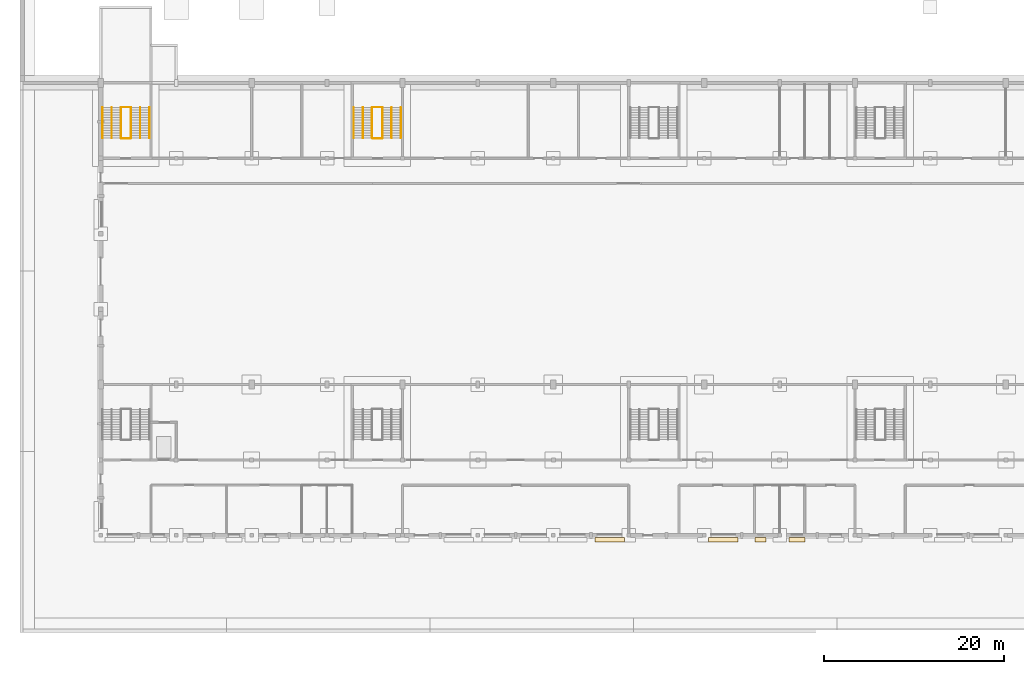
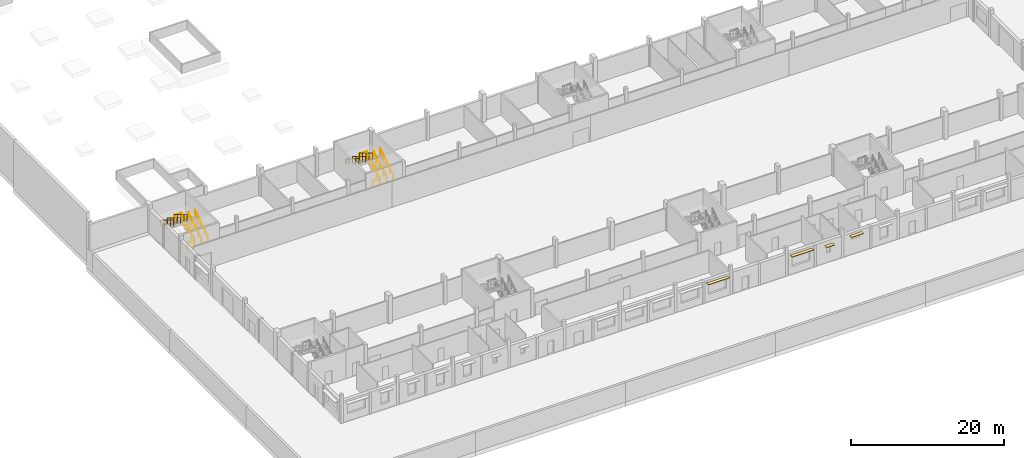
# One storey, part 32 of 36: 16 railings, 4 coverings.
"""IFC4 building model written with IfcOpenShell, lengths in metres."""

from ifc_helpers import new_model, si_unit, direction, frame, origin, origin_2d, place, context, subcontext, project, spatial, rectangle, circle, extrude, material, layer, layer_set, type_object, element, save


model = new_model("IFC4")

# Units and contexts
model_context = context("Model", 3, precision=1e-05, world=origin(), true_north=direction((0.0, 1.0)))
body_context = subcontext(model_context, "Body", "Model", "MODEL_VIEW")
ifc_project = project(units=[si_unit("LENGTHUNIT", "METRE"), si_unit("AREAUNIT", "SQUARE_METRE"), si_unit("VOLUMEUNIT", "CUBIC_METRE"), si_unit("PLANEANGLEUNIT", "RADIAN"), si_unit("MASSUNIT", "GRAM", prefix="KILO")], contexts=[model_context])

# Site, building, storey
site_placement = place(None, origin())
site = spatial("IfcSite", under=ifc_project, at=site_placement, CompositionType="ELEMENT")
building_placement = place(site_placement, origin())
building = spatial("IfcBuilding", under=site, at=building_placement, Name="Fescue Hill Polytechnic", CompositionType="ELEMENT")
storey_placement = place(building_placement, origin())
storey = spatial("IfcBuildingStorey", under=building, at=storey_placement, Name="L00", CompositionType="ELEMENT", Elevation=0.0)

# Coverings
ifc_material_1 = material(Name="Precast concrete C40/50", Category="concrete")
ifc_layer = layer(ifc_material_1, 0.080078125)
ifc_layer_set = layer_set([ifc_layer], Name="Precast concrete C40/50")
covering_type = type_object("IfcCoveringType", Name="Shade blade precast 500x80", PredefinedType="CLADDING", material=ifc_layer_set)
for number, where, z_axis, x_axis, name in (
    (1, (56.675048828125, -0.489990234375, 3.050048828125), (0.0, 0.0, 1.0), (1.0, 0.0, 0.0), "SB-L00-V1-14"),
    (2, (69.324951171875, -0.489990234375, 3.050048828125), (0.0, 0.0, 1.0), (1.0, 0.0, 0.0), "SB-L00-V1-15"),
):
    element("IfcCovering", number, at=place(storey_placement, frame(where, z_axis=z_axis, x_axis=x_axis)), inside=storey, type_object=covering_type, Name=name, PredefinedType="CLADDING", context=body_context, shape_type="SweptSolid", body=[
        extrude(rectangle(XDim=3.300048828125, YDim=0.5, at=origin_2d()), origin(), (0.0, 0.0, 1.0), 0.080078125),
    ])
covering_1_placement = place(storey_placement, frame((73.47509765625, -0.489990234375, 2.75), z_axis=(0.0, 0.0, 1.0), x_axis=(1.0, 0.0, 0.0)))
element("IfcCovering", 3, at=covering_1_placement, inside=storey, type_object=covering_type, Name="SB-L00-V1-16", PredefinedType="CLADDING", context=body_context, shape_type="SweptSolid", body=[
    extrude(rectangle(XDim=1.199951171875, YDim=0.5, at=origin_2d()), origin(), (0.0, 0.0, 1.0), 0.080078125),
])
covering_2_placement = place(storey_placement, frame((77.550048828125, -0.489990234375, 3.050048828125), z_axis=(0.0, 0.0, 1.0), x_axis=(1.0, 0.0, 0.0)))
element("IfcCovering", 4, at=covering_2_placement, inside=storey, type_object=covering_type, Name="SB-L00-V1-17", PredefinedType="CLADDING", context=body_context, shape_type="SweptSolid", body=[
    extrude(rectangle(XDim=1.800048828125, YDim=0.5, at=origin_2d()), origin(), (0.0, 0.0, 1.0), 0.080078125),
])

# Railings
ifc_material_2 = material(Name="Steel 350W (350 MPa)", Category="steel")
railing_type_1 = type_object("IfcRailingType", Name="Stair guard steel 1100", PredefinedType="GUARDRAIL", material=ifc_material_2)
railing_1_placement = place(storey_placement, frame((3.375, 44.27490234375, 0.173095703125)))
element("IfcRailing", 5, at=railing_1_placement, inside=storey, type_object=railing_type_1, Name="L00 ST-V1-5 stair guard 1", PredefinedType="GUARDRAIL", context=body_context, shape_type="SweptSolid", body=[
    extrude(circle(Radius=0.02392578125, at=origin_2d()), frame((0.0, 0.0, 1.076171875), z_axis=(0.0, 0.850623216509, 0.525775754039), x_axis=(-1.0, 0.0, 0.0)), (0.0, 0.0, 1.0), 3.9501953125),
    extrude(circle(Radius=0.02099609375, at=origin_2d()), origin(), (0.0, 0.0, 1.0), 1.052001953125),
    extrude(circle(Radius=0.02099609375, at=origin_2d()), frame((0.0, 0.840087890625, 0.519287109375)), (0.0, 0.0, 1.0), 1.052001953125),
    extrude(circle(Radius=0.02099609375, at=origin_2d()), frame((0.0, 1.68017578125, 1.03857421875)), (0.0, 0.0, 1.0), 1.052001953125),
    extrude(circle(Radius=0.02099609375, at=origin_2d()), frame((0.0, 2.52001953125, 1.5576171875)), (0.0, 0.0, 1.0), 1.052001953125),
    extrude(circle(Radius=0.02099609375, at=origin_2d()), frame((0.0, 3.360107421875, 2.076904296875)), (0.0, 0.0, 1.0), 1.052001953125),
])
railing_2_placement = place(storey_placement, frame((3.324951171875, 47.68505859375, 2.25)))
element("IfcRailing", 6, at=railing_2_placement, inside=storey, type_object=railing_type_1, Name="L00 ST-V1-5 stair guard 2", PredefinedType="GUARDRAIL", context=body_context, shape_type="SweptSolid", body=[
    extrude(circle(Radius=0.02392578125, at=origin_2d()), frame((0.0, 0.0, 1.076171875), z_axis=(-1.0, 0.0, 0.0), x_axis=(0.0, -1.0, 0.0)), (0.0, 0.0, 1.0), 1.02490234375),
    extrude(circle(Radius=0.02099609375, at=origin_2d()), origin(), (0.0, 0.0, 1.0), 1.052001953125),
    extrude(circle(Radius=0.02099609375, at=origin_2d()), frame((-1.02490234375, 0.0, 0.0)), (0.0, 0.0, 1.0), 1.052001953125),
])
railing_3_placement = place(storey_placement, frame((2.25, 47.635009765625, 2.423095703125)))
element("IfcRailing", 7, at=railing_3_placement, inside=storey, type_object=railing_type_1, Name="L00 ST-V1-5 stair guard 3", PredefinedType="GUARDRAIL", context=body_context, shape_type="SweptSolid", body=[
    extrude(circle(Radius=0.02392578125, at=origin_2d()), frame((0.0, 0.0, 1.076171875), z_axis=(0.0, -0.850623216509, 0.525775754039), x_axis=(1.0, 0.0, 0.0)), (0.0, 0.0, 1.0), 3.9501953125),
    extrude(circle(Radius=0.02099609375, at=origin_2d()), origin(), (0.0, 0.0, 1.0), 1.052001953125),
    extrude(circle(Radius=0.02099609375, at=origin_2d()), frame((0.0, -0.840087890625, 0.519287109375)), (0.0, 0.0, 1.0), 1.052001953125),
    extrude(circle(Radius=0.02099609375, at=origin_2d()), frame((0.0, -1.68017578125, 1.03857421875)), (0.0, 0.0, 1.0), 1.052001953125),
    extrude(circle(Radius=0.02099609375, at=origin_2d()), frame((0.0, -2.52001953125, 1.5576171875)), (0.0, 0.0, 1.0), 1.052001953125),
    extrude(circle(Radius=0.02099609375, at=origin_2d()), frame((0.0, -3.360107421875, 2.076904296875)), (0.0, 0.0, 1.0), 1.052001953125),
])
railing_4_placement = place(storey_placement, frame((3.324951171875, 44.22509765625, 0.0)))
element("IfcRailing", 8, at=railing_4_placement, inside=storey, type_object=railing_type_1, Name="L00 ST-V1-5 stair guard 4", PredefinedType="GUARDRAIL", context=body_context, shape_type="SweptSolid", body=[
    extrude(circle(Radius=0.02392578125, at=origin_2d()), frame((0.0, 0.0, 1.076171875), z_axis=(-1.0, 0.0, 0.0), x_axis=(0.0, -1.0, 0.0)), (0.0, 0.0, 1.0), 1.02490234375),
    extrude(circle(Radius=0.02099609375, at=origin_2d()), origin(), (0.0, 0.0, 1.0), 1.052001953125),
    extrude(circle(Radius=0.02099609375, at=origin_2d()), frame((-1.02490234375, 0.0, 0.0)), (0.0, 0.0, 1.0), 1.052001953125),
])
railing_5_placement = place(storey_placement, frame((31.375, 44.27490234375, 0.173095703125)))
element("IfcRailing", 9, at=railing_5_placement, inside=storey, type_object=railing_type_1, Name="L00 ST-V1-6 stair guard 1", PredefinedType="GUARDRAIL", context=body_context, shape_type="SweptSolid", body=[
    extrude(circle(Radius=0.02392578125, at=origin_2d()), frame((0.0, 0.0, 1.076171875), z_axis=(0.0, 0.850623216509, 0.525775754039), x_axis=(-1.0, 0.0, 0.0)), (0.0, 0.0, 1.0), 3.9501953125),
    extrude(circle(Radius=0.02099609375, at=origin_2d()), origin(), (0.0, 0.0, 1.0), 1.052001953125),
    extrude(circle(Radius=0.02099609375, at=origin_2d()), frame((0.0, 0.840087890625, 0.519287109375)), (0.0, 0.0, 1.0), 1.052001953125),
    extrude(circle(Radius=0.02099609375, at=origin_2d()), frame((0.0, 1.68017578125, 1.03857421875)), (0.0, 0.0, 1.0), 1.052001953125),
    extrude(circle(Radius=0.02099609375, at=origin_2d()), frame((0.0, 2.52001953125, 1.5576171875)), (0.0, 0.0, 1.0), 1.052001953125),
    extrude(circle(Radius=0.02099609375, at=origin_2d()), frame((0.0, 3.360107421875, 2.076904296875)), (0.0, 0.0, 1.0), 1.052001953125),
])
railing_6_placement = place(storey_placement, frame((31.324951171875, 47.68505859375, 2.25)))
element("IfcRailing", 10, at=railing_6_placement, inside=storey, type_object=railing_type_1, Name="L00 ST-V1-6 stair guard 2", PredefinedType="GUARDRAIL", context=body_context, shape_type="SweptSolid", body=[
    extrude(circle(Radius=0.02392578125, at=origin_2d()), frame((0.0, 0.0, 1.076171875), z_axis=(-1.0, 0.0, 0.0), x_axis=(0.0, -1.0, 0.0)), (0.0, 0.0, 1.0), 1.050048828125),
    extrude(circle(Radius=0.02099609375, at=origin_2d()), origin(), (0.0, 0.0, 1.0), 1.052001953125),
    extrude(circle(Radius=0.02099609375, at=origin_2d()), frame((-1.050048828125, 0.0, 0.0)), (0.0, 0.0, 1.0), 1.052001953125),
])
railing_7_placement = place(storey_placement, frame((30.22509765625, 47.635009765625, 2.423095703125)))
element("IfcRailing", 11, at=railing_7_placement, inside=storey, type_object=railing_type_1, Name="L00 ST-V1-6 stair guard 3", PredefinedType="GUARDRAIL", context=body_context, shape_type="SweptSolid", body=[
    extrude(circle(Radius=0.02392578125, at=origin_2d()), frame((0.0, 0.0, 1.076171875), z_axis=(0.0, -0.850623216509, 0.525775754039), x_axis=(1.0, 0.0, 0.0)), (0.0, 0.0, 1.0), 3.9501953125),
    extrude(circle(Radius=0.02099609375, at=origin_2d()), origin(), (0.0, 0.0, 1.0), 1.052001953125),
    extrude(circle(Radius=0.02099609375, at=origin_2d()), frame((0.0, -0.840087890625, 0.519287109375)), (0.0, 0.0, 1.0), 1.052001953125),
    extrude(circle(Radius=0.02099609375, at=origin_2d()), frame((0.0, -1.68017578125, 1.03857421875)), (0.0, 0.0, 1.0), 1.052001953125),
    extrude(circle(Radius=0.02099609375, at=origin_2d()), frame((0.0, -2.52001953125, 1.5576171875)), (0.0, 0.0, 1.0), 1.052001953125),
    extrude(circle(Radius=0.02099609375, at=origin_2d()), frame((0.0, -3.360107421875, 2.076904296875)), (0.0, 0.0, 1.0), 1.052001953125),
])
railing_8_placement = place(storey_placement, frame((31.324951171875, 44.22509765625, 0.0)))
element("IfcRailing", 12, at=railing_8_placement, inside=storey, type_object=railing_type_1, Name="L00 ST-V1-6 stair guard 4", PredefinedType="GUARDRAIL", context=body_context, shape_type="SweptSolid", body=[
    extrude(circle(Radius=0.02392578125, at=origin_2d()), frame((0.0, 0.0, 1.076171875), z_axis=(-1.0, 0.0, 0.0), x_axis=(0.0, -1.0, 0.0)), (0.0, 0.0, 1.0), 1.050048828125),
    extrude(circle(Radius=0.02099609375, at=origin_2d()), origin(), (0.0, 0.0, 1.0), 1.052001953125),
    extrude(circle(Radius=0.02099609375, at=origin_2d()), frame((-1.050048828125, 0.0, 0.0)), (0.0, 0.0, 1.0), 1.052001953125),
])
railing_type_2 = type_object("IfcRailingType", Name="Stair handrail steel 900", PredefinedType="HANDRAIL", material=ifc_material_2)
railing_9_placement = place(storey_placement, frame((5.425048828125, 44.27490234375, 0.173095703125)))
element("IfcRailing", 13, at=railing_9_placement, inside=storey, type_object=railing_type_2, Name="L00 ST-V1-5 stair handrail 1", PredefinedType="HANDRAIL", context=body_context, shape_type="SweptSolid", body=[
    extrude(circle(Radius=0.02392578125, at=origin_2d()), frame((0.0, 0.0, 0.8759765625), z_axis=(0.0, 0.850623216509, 0.525775754039), x_axis=(-1.0, 0.0, 0.0)), (0.0, 0.0, 1.0), 3.9501953125),
    extrude(circle(Radius=0.02099609375, at=origin_2d()), origin(), (0.0, 0.0, 1.0), 0.851806640625),
    extrude(circle(Radius=0.02099609375, at=origin_2d()), frame((0.0, 0.840087890625, 0.519287109375)), (0.0, 0.0, 1.0), 0.851806640625),
    extrude(circle(Radius=0.02099609375, at=origin_2d()), frame((0.0, 1.68017578125, 1.03857421875)), (0.0, 0.0, 1.0), 0.851806640625),
    extrude(circle(Radius=0.02099609375, at=origin_2d()), frame((0.0, 2.52001953125, 1.5576171875)), (0.0, 0.0, 1.0), 0.851806640625),
    extrude(circle(Radius=0.02099609375, at=origin_2d()), frame((0.0, 3.360107421875, 2.076904296875)), (0.0, 0.0, 1.0), 0.851806640625),
])
railing_10_placement = place(storey_placement, frame((0.199951171875, 47.635009765625, 2.423095703125)))
element("IfcRailing", 14, at=railing_10_placement, inside=storey, type_object=railing_type_2, Name="L00 ST-V1-5 stair handrail 2", PredefinedType="HANDRAIL", context=body_context, shape_type="SweptSolid", body=[
    extrude(circle(Radius=0.02392578125, at=origin_2d()), frame((0.0, 0.0, 0.8759765625), z_axis=(0.0, -0.850623216509, 0.525775754039), x_axis=(1.0, 0.0, 0.0)), (0.0, 0.0, 1.0), 3.9501953125),
    extrude(circle(Radius=0.02099609375, at=origin_2d()), origin(), (0.0, 0.0, 1.0), 0.851806640625),
    extrude(circle(Radius=0.02099609375, at=origin_2d()), frame((0.0, -0.840087890625, 0.519287109375)), (0.0, 0.0, 1.0), 0.851806640625),
    extrude(circle(Radius=0.02099609375, at=origin_2d()), frame((0.0, -1.68017578125, 1.03857421875)), (0.0, 0.0, 1.0), 0.851806640625),
    extrude(circle(Radius=0.02099609375, at=origin_2d()), frame((0.0, -2.52001953125, 1.5576171875)), (0.0, 0.0, 1.0), 0.851806640625),
    extrude(circle(Radius=0.02099609375, at=origin_2d()), frame((0.0, -3.360107421875, 2.076904296875)), (0.0, 0.0, 1.0), 0.851806640625),
])
railing_11_placement = place(storey_placement, frame((4.39990234375, 44.27490234375, 0.173095703125)))
element("IfcRailing", 15, at=railing_11_placement, inside=storey, type_object=railing_type_2, Name="L00 ST-V1-5 stair handrail 3", PredefinedType="HANDRAIL", context=body_context, shape_type="SweptSolid", body=[
    extrude(circle(Radius=0.02392578125, at=origin_2d()), frame((0.0, 0.0, 0.8759765625), z_axis=(0.0, 0.850623216509, 0.525775754039), x_axis=(-1.0, 0.0, 0.0)), (0.0, 0.0, 1.0), 3.9501953125),
    extrude(circle(Radius=0.02099609375, at=origin_2d()), origin(), (0.0, 0.0, 1.0), 0.851806640625),
    extrude(circle(Radius=0.02099609375, at=origin_2d()), frame((0.0, 0.840087890625, 0.519287109375)), (0.0, 0.0, 1.0), 0.851806640625),
    extrude(circle(Radius=0.02099609375, at=origin_2d()), frame((0.0, 1.68017578125, 1.03857421875)), (0.0, 0.0, 1.0), 0.851806640625),
    extrude(circle(Radius=0.02099609375, at=origin_2d()), frame((0.0, 2.52001953125, 1.5576171875)), (0.0, 0.0, 1.0), 0.851806640625),
    extrude(circle(Radius=0.02099609375, at=origin_2d()), frame((0.0, 3.360107421875, 2.076904296875)), (0.0, 0.0, 1.0), 0.851806640625),
])
railing_12_placement = place(storey_placement, frame((1.22509765625, 47.635009765625, 2.423095703125)))
element("IfcRailing", 16, at=railing_12_placement, inside=storey, type_object=railing_type_2, Name="L00 ST-V1-5 stair handrail 4", PredefinedType="HANDRAIL", context=body_context, shape_type="SweptSolid", body=[
    extrude(circle(Radius=0.02392578125, at=origin_2d()), frame((0.0, 0.0, 0.8759765625), z_axis=(0.0, -0.850623216509, 0.525775754039), x_axis=(1.0, 0.0, 0.0)), (0.0, 0.0, 1.0), 3.9501953125),
    extrude(circle(Radius=0.02099609375, at=origin_2d()), origin(), (0.0, 0.0, 1.0), 0.851806640625),
    extrude(circle(Radius=0.02099609375, at=origin_2d()), frame((0.0, -0.840087890625, 0.519287109375)), (0.0, 0.0, 1.0), 0.851806640625),
    extrude(circle(Radius=0.02099609375, at=origin_2d()), frame((0.0, -1.68017578125, 1.03857421875)), (0.0, 0.0, 1.0), 0.851806640625),
    extrude(circle(Radius=0.02099609375, at=origin_2d()), frame((0.0, -2.52001953125, 1.5576171875)), (0.0, 0.0, 1.0), 0.851806640625),
    extrude(circle(Radius=0.02099609375, at=origin_2d()), frame((0.0, -3.360107421875, 2.076904296875)), (0.0, 0.0, 1.0), 0.851806640625),
])
railing_13_placement = place(storey_placement, frame((33.425048828125, 44.27490234375, 0.173095703125)))
element("IfcRailing", 17, at=railing_13_placement, inside=storey, type_object=railing_type_2, Name="L00 ST-V1-6 stair handrail 1", PredefinedType="HANDRAIL", context=body_context, shape_type="SweptSolid", body=[
    extrude(circle(Radius=0.02392578125, at=origin_2d()), frame((0.0, 0.0, 0.8759765625), z_axis=(0.0, 0.850623216509, 0.525775754039), x_axis=(-1.0, 0.0, 0.0)), (0.0, 0.0, 1.0), 3.9501953125),
    extrude(circle(Radius=0.02099609375, at=origin_2d()), origin(), (0.0, 0.0, 1.0), 0.851806640625),
    extrude(circle(Radius=0.02099609375, at=origin_2d()), frame((0.0, 0.840087890625, 0.519287109375)), (0.0, 0.0, 1.0), 0.851806640625),
    extrude(circle(Radius=0.02099609375, at=origin_2d()), frame((0.0, 1.68017578125, 1.03857421875)), (0.0, 0.0, 1.0), 0.851806640625),
    extrude(circle(Radius=0.02099609375, at=origin_2d()), frame((0.0, 2.52001953125, 1.5576171875)), (0.0, 0.0, 1.0), 0.851806640625),
    extrude(circle(Radius=0.02099609375, at=origin_2d()), frame((0.0, 3.360107421875, 2.076904296875)), (0.0, 0.0, 1.0), 0.851806640625),
])
railing_14_placement = place(storey_placement, frame((28.175048828125, 47.635009765625, 2.423095703125)))
element("IfcRailing", 18, at=railing_14_placement, inside=storey, type_object=railing_type_2, Name="L00 ST-V1-6 stair handrail 2", PredefinedType="HANDRAIL", context=body_context, shape_type="SweptSolid", body=[
    extrude(circle(Radius=0.02392578125, at=origin_2d()), frame((0.0, 0.0, 0.8759765625), z_axis=(0.0, -0.850623216509, 0.525775754039), x_axis=(1.0, 0.0, 0.0)), (0.0, 0.0, 1.0), 3.9501953125),
    extrude(circle(Radius=0.02099609375, at=origin_2d()), origin(), (0.0, 0.0, 1.0), 0.851806640625),
    extrude(circle(Radius=0.02099609375, at=origin_2d()), frame((0.0, -0.840087890625, 0.519287109375)), (0.0, 0.0, 1.0), 0.851806640625),
    extrude(circle(Radius=0.02099609375, at=origin_2d()), frame((0.0, -1.68017578125, 1.03857421875)), (0.0, 0.0, 1.0), 0.851806640625),
    extrude(circle(Radius=0.02099609375, at=origin_2d()), frame((0.0, -2.52001953125, 1.5576171875)), (0.0, 0.0, 1.0), 0.851806640625),
    extrude(circle(Radius=0.02099609375, at=origin_2d()), frame((0.0, -3.360107421875, 2.076904296875)), (0.0, 0.0, 1.0), 0.851806640625),
])
railing_15_placement = place(storey_placement, frame((32.39990234375, 44.27490234375, 0.173095703125)))
element("IfcRailing", 19, at=railing_15_placement, inside=storey, type_object=railing_type_2, Name="L00 ST-V1-6 stair handrail 3", PredefinedType="HANDRAIL", context=body_context, shape_type="SweptSolid", body=[
    extrude(circle(Radius=0.02392578125, at=origin_2d()), frame((0.0, 0.0, 0.8759765625), z_axis=(0.0, 0.850623216509, 0.525775754039), x_axis=(-1.0, 0.0, 0.0)), (0.0, 0.0, 1.0), 3.9501953125),
    extrude(circle(Radius=0.02099609375, at=origin_2d()), origin(), (0.0, 0.0, 1.0), 0.851806640625),
    extrude(circle(Radius=0.02099609375, at=origin_2d()), frame((0.0, 0.840087890625, 0.519287109375)), (0.0, 0.0, 1.0), 0.851806640625),
    extrude(circle(Radius=0.02099609375, at=origin_2d()), frame((0.0, 1.68017578125, 1.03857421875)), (0.0, 0.0, 1.0), 0.851806640625),
    extrude(circle(Radius=0.02099609375, at=origin_2d()), frame((0.0, 2.52001953125, 1.5576171875)), (0.0, 0.0, 1.0), 0.851806640625),
    extrude(circle(Radius=0.02099609375, at=origin_2d()), frame((0.0, 3.360107421875, 2.076904296875)), (0.0, 0.0, 1.0), 0.851806640625),
])
railing_16_placement = place(storey_placement, frame((29.199951171875, 47.635009765625, 2.423095703125)))
element("IfcRailing", 20, at=railing_16_placement, inside=storey, type_object=railing_type_2, Name="L00 ST-V1-6 stair handrail 4", PredefinedType="HANDRAIL", context=body_context, shape_type="SweptSolid", body=[
    extrude(circle(Radius=0.02392578125, at=origin_2d()), frame((0.0, 0.0, 0.8759765625), z_axis=(0.0, -0.850623216509, 0.525775754039), x_axis=(1.0, 0.0, 0.0)), (0.0, 0.0, 1.0), 3.9501953125),
    extrude(circle(Radius=0.02099609375, at=origin_2d()), origin(), (0.0, 0.0, 1.0), 0.851806640625),
    extrude(circle(Radius=0.02099609375, at=origin_2d()), frame((0.0, -0.840087890625, 0.519287109375)), (0.0, 0.0, 1.0), 0.851806640625),
    extrude(circle(Radius=0.02099609375, at=origin_2d()), frame((0.0, -1.68017578125, 1.03857421875)), (0.0, 0.0, 1.0), 0.851806640625),
    extrude(circle(Radius=0.02099609375, at=origin_2d()), frame((0.0, -2.52001953125, 1.5576171875)), (0.0, 0.0, 1.0), 0.851806640625),
    extrude(circle(Radius=0.02099609375, at=origin_2d()), frame((0.0, -3.360107421875, 2.076904296875)), (0.0, 0.0, 1.0), 0.851806640625),
])

save(model, "model.ifc")
